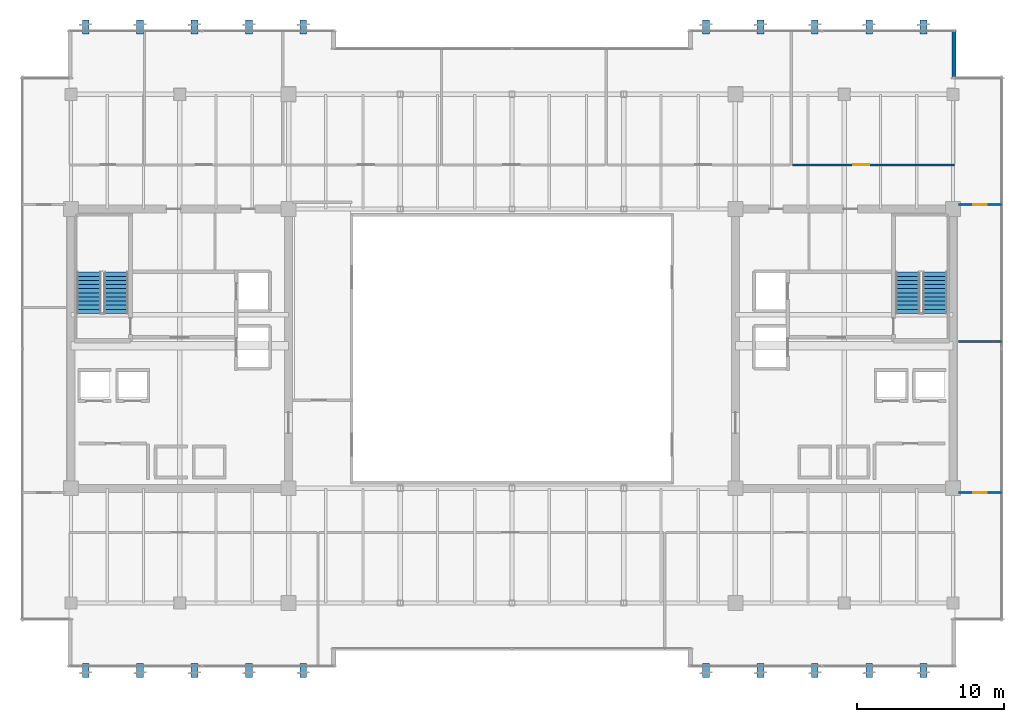
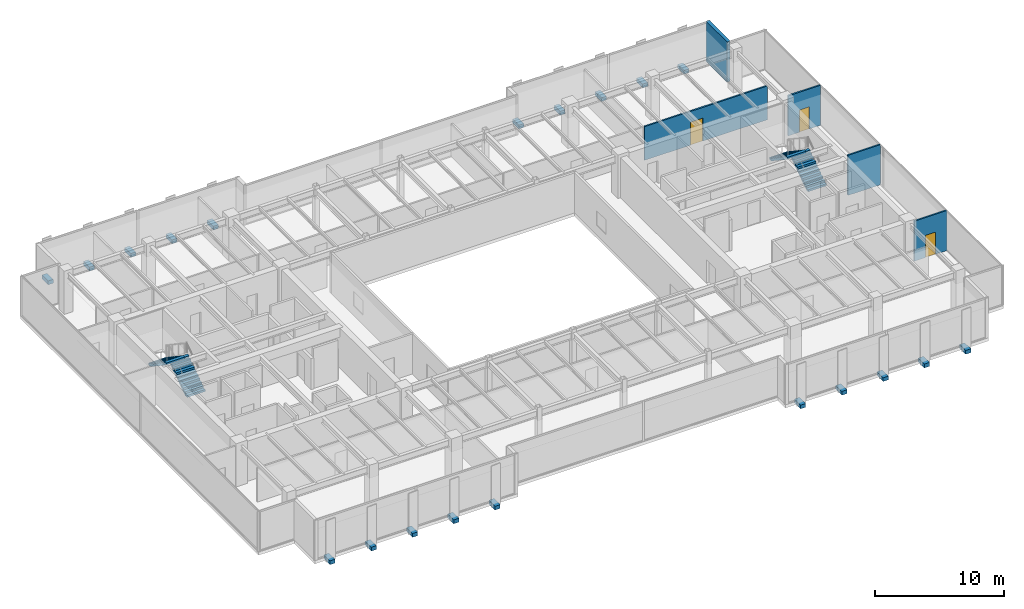
# One storey, part 31 of 35: 20 discrete accessories, 5 walls, 4 stair flights, 3 doors, 3 openings, 2 elements without a shape of their own.
"""IFC4 building model written with IfcOpenShell, lengths in metres."""

from ifc_helpers import new_model, si_unit, direction, frame, frame_2d, origin, origin_2d, place, context, subcontext, project, spatial, polyline, rectangle, outline, extrude, source, transform, mapped, material, layer, layer_set, type_object, type_shapes, element, fill, aggregate, save


model = new_model("IFC4")

# Units and contexts
model_context = context("Model", 3, precision=1e-05, world=origin(), true_north=direction((0.0, 1.0)))
body_context = subcontext(model_context, "Body", "Model", "MODEL_VIEW")
ifc_project = project(units=[si_unit("LENGTHUNIT", "METRE"), si_unit("AREAUNIT", "SQUARE_METRE"), si_unit("VOLUMEUNIT", "CUBIC_METRE"), si_unit("PLANEANGLEUNIT", "RADIAN"), si_unit("MASSUNIT", "GRAM", prefix="KILO")], contexts=[model_context])

# Site, building, storey
site_placement = place(None, origin())
site = spatial("IfcSite", under=ifc_project, at=site_placement, CompositionType="ELEMENT")
building_placement = place(site_placement, origin())
building = spatial("IfcBuilding", under=site, at=building_placement, Name="Haelvirn Gate Laboratories", CompositionType="ELEMENT")
storey_placement = place(building_placement, frame((0.0, 0.0, 201.39990234375)))
storey = spatial("IfcBuildingStorey", under=building, at=storey_placement, Name="L48", CompositionType="ELEMENT", Elevation=201.39990234375)

# Wall
ifc_material_1 = material(Name="Thermally-broken bronze aluminium rainscreen & mineral wool", Category="aluminium")
ifc_layer_1 = layer(ifc_material_1, 0.280029296875, Name="EW-TERR-280")
ifc_layer_set_1 = layer_set([ifc_layer_1], Name="Thermally-broken bronze aluminium rainscreen & mineral wool")
wall_type_1 = type_object("IfcWallType", Name="EW-TERR-280", PredefinedType="STANDARD", material=ifc_layer_set_1)
wall_1_placement = place(storey_placement, frame((67.4599609375, 42.7119140625, 0.0), z_axis=(0.0, 0.0, 1.0), x_axis=(0.0, 1.0, 0.0)))
element("IfcWall", 1, at=wall_1_placement, inside=storey, type_object=wall_type_1, Name="L48 Atrium Recess Bronze Return Wall 09", PredefinedType="STANDARD", context=body_context, shape_type="SweptSolid", body=[
    extrude(rectangle(XDim=3.2880859375, YDim=0.280029296875, at=frame_2d((1.64404296875, 0.0))), origin(), (0.0, 0.0, 1.0), 3.800048828125),
])

# Wall, opening, door
ifc_material_2 = material(Name="Acoustic mineral-wool gypsum board partition", Category="gypsum")
ifc_layer_2 = layer(ifc_material_2, 0.139892578125, Name="IW-PART-140")
ifc_layer_set_2 = layer_set([ifc_layer_2], Name="Acoustic mineral-wool gypsum board partition")
wall_type_2 = type_object("IfcWallType", Name="IW-PART-140", PredefinedType="PARTITIONING", material=ifc_layer_set_2)
wall_2_placement = place(storey_placement, frame((56.47998046875, 36.81005859375, 0.0), z_axis=(0.0, 0.0, 1.0), x_axis=(1.0, 0.0, 0.0)))
wall_2 = element("IfcWall", 2, at=wall_2_placement, inside=storey, type_object=wall_type_2, Name="L48 Interior Wall IW-L48-NCORR-06", PredefinedType="PARTITIONING", context=body_context, shape_type="SweptSolid", body=[
    extrude(rectangle(XDim=11.010009765625, YDim=0.139892578125, at=frame_2d((5.5048828125, 0.0))), origin(), (0.0, 0.0, 1.0), 3.197021484375),
])
opening_1_placement = place(wall_2_placement, frame((4.126220703125, 0.0, 0.0)))
opening_1 = element("IfcOpeningElement", 3, at=opening_1_placement, cuts=wall_2, Name="Opening D1", PredefinedType="OPENING", context=body_context, shape_type="SweptSolid", body=[
    extrude(rectangle(XDim=1.10009765625, YDim=2.179931640625, at=frame_2d((0.550048828125, 1.08984375))), frame((0.0, 0.080078125, 0.0), z_axis=(0.0, -1.0, 0.0), x_axis=(1.0, 0.0, 0.0)), (0.0, 0.0, 1.0), 0.159912109375),
])
ifc_material_3 = material(Name="Vision-panel acoustic solid-core timber lab door", Category="wood")
door_type_1 = type_object("IfcDoorType", Name="DR-LAB-1100", OperationType="NOTDEFINED", PredefinedType="DOOR", material=ifc_material_3)
shared_shape_1 = source(origin(), body_context, "Body", "SweptSolid", [
    extrude(rectangle(XDim=1.10009765625, YDim=2.179931640625, at=frame_2d((0.550048828125, 1.08984375))), frame((0.0, 0.02490234375, 0.0), z_axis=(0.0, -1.0, 0.0), x_axis=(1.0, 0.0, 0.0)), (0.0, 0.0, 1.0), 0.050048828125),
])
type_shapes(door_type_1, [shared_shape_1])
door_1_placement = place(opening_1_placement, origin())
door_1 = element("IfcDoor", 4, at=door_1_placement, inside=storey, type_object=door_type_1, Name="L48 Peer-Review Seminar Room Door N6", OperationType="SINGLE_SWING_LEFT", OverallHeight=2.179931640625, OverallWidth=1.10009765625, PredefinedType="DOOR", context=body_context, shape_type="MappedRepresentation", body=[
    mapped(shared_shape_1, transform((0.0, 0.0, 0.0), scale=1.0)),
])
fill(opening_1, door_1)

# Wall
wall_3_placement = place(storey_placement, frame((67.780029296875, 24.800048828125, 0.0), z_axis=(0.0, 0.0, 1.0), x_axis=(1.0, 0.0, 0.0)))
element("IfcWall", 5, at=wall_3_placement, inside=storey, type_object=wall_type_2, Name="L48 Interior Wall IW-L48-EZ3-MID", PredefinedType="PARTITIONING", context=body_context, shape_type="SweptSolid", body=[
    extrude(rectangle(XDim=2.909912109375, YDim=0.139892578125, at=frame_2d((1.455078125, 0.0))), origin(), (0.0, 0.0, 1.0), 3.800048828125),
])

# Wall, opening, door
wall_4_placement = place(storey_placement, frame((67.780029296875, 14.5048828125, 0.0), z_axis=(0.0, 0.0, 1.0), x_axis=(1.0, 0.0, 0.0)))
wall_4 = element("IfcWall", 6, at=wall_4_placement, inside=storey, type_object=wall_type_2, Name="L48 Interior Wall IW-L48-EZ3-ENT-S", PredefinedType="PARTITIONING", context=body_context, shape_type="SweptSolid", body=[
    extrude(rectangle(XDim=2.909912109375, YDim=0.139892578125, at=frame_2d((1.455078125, 0.0))), origin(), (0.0, 0.0, 1.0), 3.800048828125),
])
opening_2_placement = place(wall_4_placement, frame((1.0048828125, 0.0, 0.0)))
opening_2 = element("IfcOpeningElement", 7, at=opening_2_placement, cuts=wall_4, Name="Opening D4", PredefinedType="OPENING", context=body_context, shape_type="SweptSolid", body=[
    extrude(rectangle(XDim=0.89990234375, YDim=2.10009765625, at=frame_2d((0.449951171875, 1.050048828125))), frame((0.0, 0.080078125, 0.0), z_axis=(0.0, -1.0, 0.0), x_axis=(1.0, 0.0, 0.0)), (0.0, 0.0, 1.0), 0.159912109375),
])
ifc_material_4 = material(Name="Glazed aluminium-framed write-up door", Category="aluminium")
door_type_2 = type_object("IfcDoorType", Name="DR-OFF-900", OperationType="NOTDEFINED", PredefinedType="DOOR", material=ifc_material_4)
shared_shape_2 = source(origin(), body_context, "Body", "SweptSolid", [
    extrude(rectangle(XDim=0.89990234375, YDim=2.10009765625, at=frame_2d((0.449951171875, 1.050048828125))), frame((0.0, 0.02490234375, 0.0), z_axis=(0.0, -1.0, 0.0), x_axis=(1.0, 0.0, 0.0)), (0.0, 0.0, 1.0), 0.050048828125),
])
type_shapes(door_type_2, [shared_shape_2])
door_2_placement = place(opening_2_placement, origin())
door_2 = element("IfcDoor", 8, at=door_2_placement, inside=storey, type_object=door_type_2, Name="L48 Researcher Break Pantry Door E-S", OperationType="SINGLE_SWING_LEFT", OverallHeight=2.10009765625, OverallWidth=0.89990234375, PredefinedType="DOOR", context=body_context, shape_type="MappedRepresentation", body=[
    mapped(shared_shape_2, transform((0.0, 0.0, 0.0), scale=1.0)),
])
fill(opening_2, door_2)

wall_5_placement = place(storey_placement, frame((67.780029296875, 34.094970703125, 0.0), z_axis=(0.0, 0.0, 1.0), x_axis=(1.0, 0.0, 0.0)))
wall_5 = element("IfcWall", 9, at=wall_5_placement, inside=storey, type_object=wall_type_2, Name="L48 Interior Wall IW-L48-EZ3-ENT-N", PredefinedType="PARTITIONING", context=body_context, shape_type="SweptSolid", body=[
    extrude(rectangle(XDim=2.909912109375, YDim=0.139892578125, at=frame_2d((1.455078125, 0.0))), origin(), (0.0, 0.0, 1.0), 3.800048828125),
])
opening_3_placement = place(wall_5_placement, frame((1.0048828125, 0.0, 0.0)))
opening_3 = element("IfcOpeningElement", 10, at=opening_3_placement, cuts=wall_5, Name="Opening D4", PredefinedType="OPENING", context=body_context, shape_type="SweptSolid", body=[
    extrude(rectangle(XDim=0.89990234375, YDim=2.10009765625, at=frame_2d((0.449951171875, 1.050048828125))), frame((0.0, 0.080078125, 0.0), z_axis=(0.0, -1.0, 0.0), x_axis=(1.0, 0.0, 0.0)), (0.0, 0.0, 1.0), 0.159912109375),
])
door_3_placement = place(opening_3_placement, origin())
door_3 = element("IfcDoor", 11, at=door_3_placement, inside=storey, type_object=door_type_2, Name="L48 Genomics Assay Laboratory Door E-N", OperationType="SINGLE_SWING_RIGHT", OverallHeight=2.10009765625, OverallWidth=0.89990234375, PredefinedType="DOOR", context=body_context, shape_type="MappedRepresentation", body=[
    mapped(shared_shape_2, transform((0.0, 0.0, 0.0), scale=1.0)),
])
fill(opening_3, door_3)

# Stair, stair flights
ifc_material_5 = material(Name="Concrete C40/50", Category="concrete")
stair_type = type_object("IfcStairType", Name="ST-DOG-1650-R22", PredefinedType="HALF_TURN_STAIR", material=ifc_material_5)
stair_1_placement = place(storey_placement, origin())
stair_1 = element("IfcStair", 12, at=stair_1_placement, inside=storey, type_object=stair_type, Name="L48 Escape Stair ST1", PredefinedType="HALF_TURN_STAIR")
stair_flight_type = type_object("IfcStairFlightType", Name="STF-1650-R11", PredefinedType="STRAIGHT", material=ifc_material_5)
shared_shape_3 = source(origin(), body_context, "Body", "SweptSolid", [
    extrude(outline(polyline([(0.0, 0.0), (0.0, 0.186279296875), (0.280029296875, 0.186279296875), (0.280029296875, 0.372802734375), (0.56005859375, 0.372802734375), (0.56005859375, 0.55908203125), (0.840087890625, 0.55908203125), (0.840087890625, 0.745361328125), (1.1201171875, 0.745361328125), (1.1201171875, 0.931884765625), (1.39990234375, 0.931884765625), (1.39990234375, 1.1181640625), (1.679931640625, 1.1181640625), (1.679931640625, 1.304443359375), (1.9599609375, 1.304443359375), (1.9599609375, 1.490966796875), (2.239990234375, 1.490966796875), (2.239990234375, 1.67724609375), (2.52001953125, 1.67724609375), (2.52001953125, 1.863525390625), (2.800048828125, 1.863525390625), (2.800048828125, 2.050048828125), (2.800048828125, 1.671630859375), (0.28857421875, 0.0), (0.0, 0.0)])), frame((0.0, 0.824951171875, 0.0), z_axis=(0.0, -1.0, 0.0), x_axis=(1.0, 0.0, 0.0)), (0.0, 0.0, 1.0), 1.64990234375),
])
type_shapes(stair_flight_type, [shared_shape_3])
stair_flight_1_placement = place(storey_placement, frame((10.47509765625, 26.699951171875, 0.0), z_axis=(0.0, 0.0, 1.0), x_axis=(0.0, 1.0, 0.0)))
stair_flight_1 = element("IfcStairFlight", 13, at=stair_flight_1_placement, type_object=stair_flight_type, Name="ST1 flight 1", NumberOfRisers=11, NumberOfTreads=10, PredefinedType="STRAIGHT", RiserHeight=0.186363636, TreadLength=0.28, context=body_context, shape_type="MappedRepresentation", body=[
    mapped(shared_shape_3, transform((0.0, 0.0, 0.0), scale=1.0)),
])
stair_flight_2_placement = place(storey_placement, frame((8.625, 29.5, 2.050048828125), z_axis=(0.0, 0.0, 1.0), x_axis=(0.0, -1.0, 0.0)))
stair_flight_2 = element("IfcStairFlight", 14, at=stair_flight_2_placement, type_object=stair_flight_type, Name="ST1 flight 2", NumberOfRisers=11, NumberOfTreads=10, PredefinedType="STRAIGHT", RiserHeight=0.186363636, TreadLength=0.28, context=body_context, shape_type="MappedRepresentation", body=[
    mapped(shared_shape_3, transform((0.0, 0.0, 0.0), scale=1.0)),
])
aggregate(stair_1, [stair_flight_1, stair_flight_2])

stair_2_placement = place(storey_placement, origin())
stair_2 = element("IfcStair", 15, at=stair_2_placement, inside=storey, type_object=stair_type, Name="L48 Escape Stair ST2", PredefinedType="HALF_TURN_STAIR")
stair_flight_3_placement = place(storey_placement, frame((66.175048828125, 26.699951171875, 0.0), z_axis=(0.0, 0.0, 1.0), x_axis=(0.0, 1.0, 0.0)))
stair_flight_3 = element("IfcStairFlight", 16, at=stair_flight_3_placement, type_object=stair_flight_type, Name="ST2 flight 1", NumberOfRisers=11, NumberOfTreads=10, PredefinedType="STRAIGHT", RiserHeight=0.186363636, TreadLength=0.28, context=body_context, shape_type="MappedRepresentation", body=[
    mapped(shared_shape_3, transform((0.0, 0.0, 0.0), scale=1.0)),
])
stair_flight_4_placement = place(storey_placement, frame((64.324951171875, 29.5, 2.050048828125), z_axis=(0.0, 0.0, 1.0), x_axis=(0.0, -1.0, 0.0)))
stair_flight_4 = element("IfcStairFlight", 17, at=stair_flight_4_placement, type_object=stair_flight_type, Name="ST2 flight 2", NumberOfRisers=11, NumberOfTreads=10, PredefinedType="STRAIGHT", RiserHeight=0.186363636, TreadLength=0.28, context=body_context, shape_type="MappedRepresentation", body=[
    mapped(shared_shape_3, transform((0.0, 0.0, 0.0), scale=1.0)),
])
aggregate(stair_2, [stair_flight_3, stair_flight_4])

# Discrete accessories
ifc_material_6 = material(Name="Steel SM355 & duplex stainless anchorage", Category="steel")
discrete_accessory_type = type_object("IfcDiscreteAccessoryType", Name="ACC-BRK-FIN", PredefinedType="BRACKET", material=ifc_material_6)
shared_shape_4 = source(origin(), body_context, "Body", "SweptSolid", [
    extrude(rectangle(XDim=0.4599609375, YDim=0.9599609375, at=origin_2d()), origin(), (0.0, 0.0, 1.0), 0.360107421875),
])
type_shapes(discrete_accessory_type, [shared_shape_4])
for number, where, z_axis, x_axis, name in (
    (18, (8.39990234375, 2.419921875, -0.31982421875), (0.0, 0.0, 1.0), (1.0, 0.0, 0.0), "L48 Stainless Fin Outrigger Bracket S01"),
    (19, (8.39990234375, 46.179931640625, -0.31982421875), (0.0, 0.0, 1.0), (1.0, 0.0, 0.0), "L48 Stainless Fin Outrigger Bracket N01"),
    (20, (12.10009765625, 2.419921875, -0.31982421875), (0.0, 0.0, 1.0), (1.0, 0.0, 0.0), "L48 Stainless Fin Outrigger Bracket S02"),
    (21, (12.10009765625, 46.179931640625, -0.31982421875), (0.0, 0.0, 1.0), (1.0, 0.0, 0.0), "L48 Stainless Fin Outrigger Bracket N02"),
    (22, (15.800048828125, 2.419921875, -0.31982421875), (0.0, 0.0, 1.0), (1.0, 0.0, 0.0), "L48 Stainless Fin Outrigger Bracket S03"),
    (23, (15.800048828125, 46.179931640625, -0.31982421875), (0.0, 0.0, 1.0), (1.0, 0.0, 0.0), "L48 Stainless Fin Outrigger Bracket N03"),
    (24, (19.5, 2.419921875, -0.31982421875), (0.0, 0.0, 1.0), (1.0, 0.0, 0.0), "L48 Stainless Fin Outrigger Bracket S04"),
    (25, (19.5, 46.179931640625, -0.31982421875), (0.0, 0.0, 1.0), (1.0, 0.0, 0.0), "L48 Stainless Fin Outrigger Bracket N04"),
    (26, (23.199951171875, 2.419921875, -0.31982421875), (0.0, 0.0, 1.0), (1.0, 0.0, 0.0), "L48 Stainless Fin Outrigger Bracket S05"),
    (27, (23.199951171875, 46.179931640625, -0.31982421875), (0.0, 0.0, 1.0), (1.0, 0.0, 0.0), "L48 Stainless Fin Outrigger Bracket N05"),
    (28, (50.60009765625, 2.419921875, -0.31982421875), (0.0, 0.0, 1.0), (1.0, 0.0, 0.0), "L48 Stainless Fin Outrigger Bracket S06"),
    (29, (50.60009765625, 46.179931640625, -0.31982421875), (0.0, 0.0, 1.0), (1.0, 0.0, 0.0), "L48 Stainless Fin Outrigger Bracket N06"),
    (30, (54.300048828125, 2.419921875, -0.31982421875), (0.0, 0.0, 1.0), (1.0, 0.0, 0.0), "L48 Stainless Fin Outrigger Bracket S07"),
    (31, (54.300048828125, 46.179931640625, -0.31982421875), (0.0, 0.0, 1.0), (1.0, 0.0, 0.0), "L48 Stainless Fin Outrigger Bracket N07"),
    (32, (58.0, 2.419921875, -0.31982421875), (0.0, 0.0, 1.0), (1.0, 0.0, 0.0), "L48 Stainless Fin Outrigger Bracket S08"),
    (33, (58.0, 46.179931640625, -0.31982421875), (0.0, 0.0, 1.0), (1.0, 0.0, 0.0), "L48 Stainless Fin Outrigger Bracket N08"),
    (34, (61.699951171875, 2.419921875, -0.31982421875), (0.0, 0.0, 1.0), (1.0, 0.0, 0.0), "L48 Stainless Fin Outrigger Bracket S09"),
    (35, (61.699951171875, 46.179931640625, -0.31982421875), (0.0, 0.0, 1.0), (1.0, 0.0, 0.0), "L48 Stainless Fin Outrigger Bracket N09"),
    (36, (65.39990234375, 2.419921875, -0.31982421875), (0.0, 0.0, 1.0), (1.0, 0.0, 0.0), "L48 Stainless Fin Outrigger Bracket S10"),
    (37, (65.39990234375, 46.179931640625, -0.31982421875), (0.0, 0.0, 1.0), (1.0, 0.0, 0.0), "L48 Stainless Fin Outrigger Bracket N10"),
):
    element("IfcDiscreteAccessory", number, at=place(storey_placement, frame(where, z_axis=z_axis, x_axis=x_axis)), inside=storey, type_object=discrete_accessory_type, Name=name, PredefinedType="BRACKET", context=body_context, shape_type="MappedRepresentation", body=[
        mapped(shared_shape_4, transform((0.0, 0.0, 0.0), scale=1.0)),
    ])

save(model, "model.ifc")
